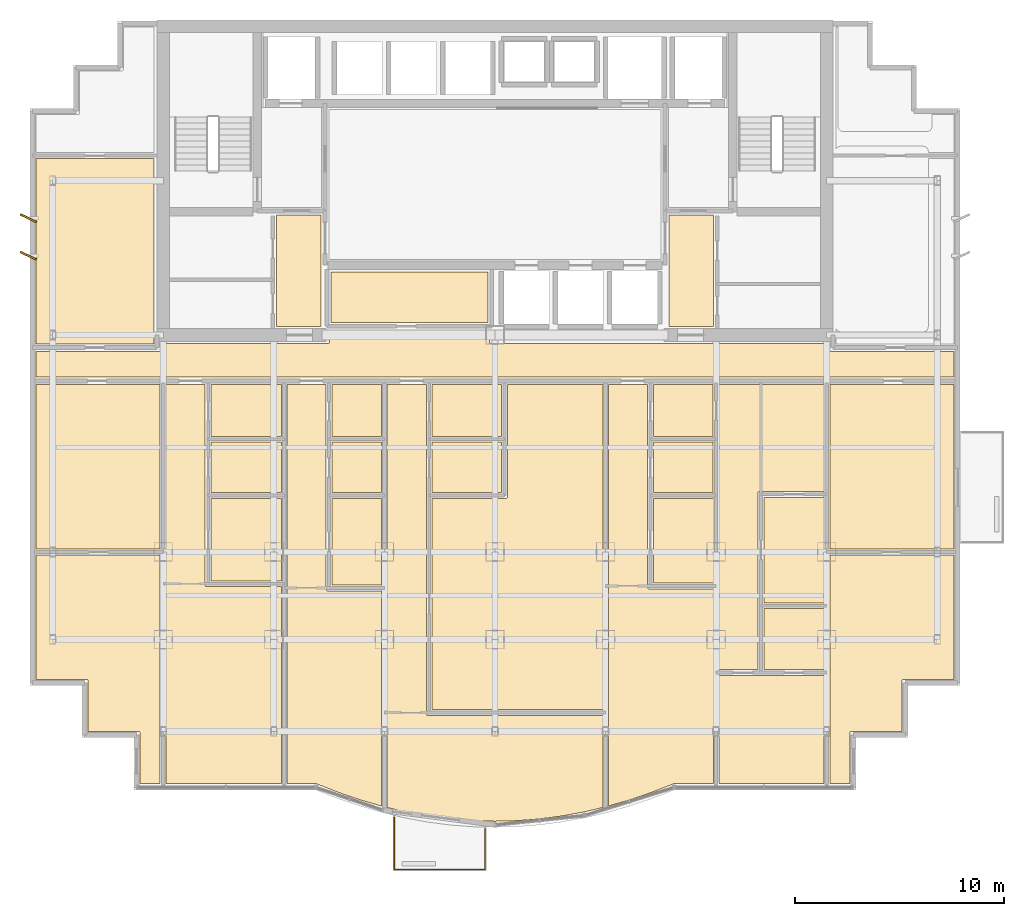
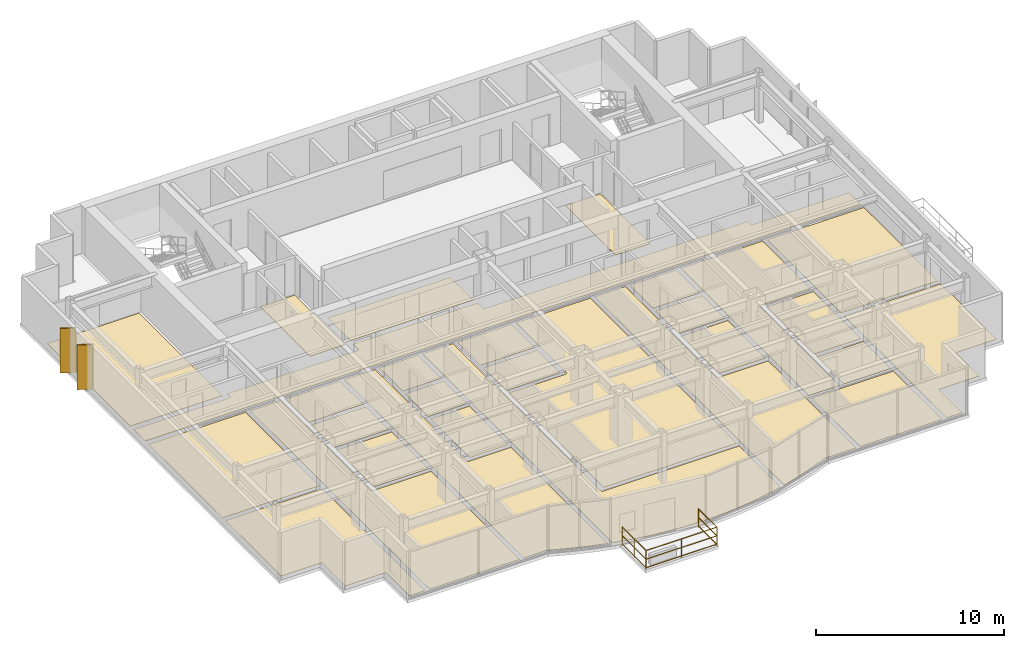
# One storey, part 10 of 11: 29 coverings, 2 shading devices, 1 railing.
"""IFC4 building model written with IfcOpenShell, lengths in metres."""

from ifc_helpers import new_model, si_unit, direction, frame, origin, origin_2d, place, context, subcontext, project, spatial, polyline, rectangle, circle, outline, extrude, source, transform, mapped, material, layer, layer_set, type_object, element, save


model = new_model("IFC4")

# Units and contexts
model_context = context("Model", 3, precision=1e-05, world=origin(), true_north=direction((0.0, 1.0)))
body_context = subcontext(model_context, "Body", "Model", "MODEL_VIEW")
ifc_project = project(units=[si_unit("LENGTHUNIT", "METRE"), si_unit("AREAUNIT", "SQUARE_METRE"), si_unit("VOLUMEUNIT", "CUBIC_METRE"), si_unit("PLANEANGLEUNIT", "RADIAN"), si_unit("MASSUNIT", "GRAM", prefix="KILO")], contexts=[model_context])

# Site, building, storey
site_placement = place(None, origin())
site = spatial("IfcSite", under=ifc_project, at=site_placement, CompositionType="ELEMENT")
building_placement = place(site_placement, origin())
building = spatial("IfcBuilding", under=site, at=building_placement, Name="Qianlan Lanfeng Residences", CompositionType="ELEMENT")
storey_placement = place(building_placement, frame((0.0, 0.0, 145.800048828125)))
storey = spatial("IfcBuildingStorey", under=building, at=storey_placement, Name="L39", CompositionType="ELEMENT", Elevation=145.800048828125)

# Coverings
ifc_material_1 = material(Name="Honed Taitung Granite Stone Flooring", Category="masonry")
ifc_layer_1 = layer(ifc_material_1, 0.030029296875)
ifc_layer_set_1 = layer_set([ifc_layer_1], Name="Honed Taitung Granite Stone Flooring")
covering_type_1 = type_object("IfcCoveringType", Name="FLR-STN-30", PredefinedType="FLOORING", material=ifc_layer_set_1)
covering_1_placement = place(storey_placement, origin())
element("IfcCovering", 1, at=covering_1_placement, inside=storey, type_object=covering_type_1, Name="L39 Residential Corridor Floor Finish", PredefinedType="FLOORING", context=body_context, shape_type="SweptSolid", body=[
    extrude(outline(polyline([(4.489990234375, 23.179931640625), (48.510009765625, 23.179931640625), (48.510009765625, 24.419921875), (42.590087890625, 24.419921875), (42.5830078125, 24.419921875), (42.575927734375, 24.4208984375), (42.570068359375, 24.423095703125), (42.56298828125, 24.425048828125), (42.556884765625, 24.427978515625), (42.551025390625, 24.431884765625), (42.5458984375, 24.43603515625), (42.541015625, 24.44091796875), (42.535888671875, 24.446044921875), (42.531982421875, 24.450927734375), (42.528076171875, 24.45703125), (42.52490234375, 24.462890625), (42.52294921875, 24.469970703125), (42.52099609375, 24.47607421875), (42.52001953125, 24.48291015625), (42.52001953125, 24.489990234375), (42.52001953125, 24.800048828125), (26.300048828125, 24.800048828125), (26.29296875, 24.800048828125), (26.285888671875, 24.801025390625), (26.280029296875, 24.802978515625), (26.27294921875, 24.804931640625), (26.26708984375, 24.80810546875), (26.260986328125, 24.81201171875), (26.256103515625, 24.81591796875), (26.2509765625, 24.821044921875), (26.24609375, 24.825927734375), (26.241943359375, 24.8310546875), (26.238037109375, 24.8369140625), (26.235107421875, 24.843017578125), (26.23291015625, 24.85009765625), (26.23095703125, 24.85595703125), (26.22998046875, 24.863037109375), (26.22998046875, 24.8701171875), (26.22998046875, 25.429931640625), (18.570068359375, 25.429931640625), (18.570068359375, 24.8701171875), (18.570068359375, 24.863037109375), (18.569091796875, 24.85595703125), (18.56689453125, 24.85009765625), (18.56494140625, 24.843017578125), (18.56201171875, 24.8369140625), (18.55810546875, 24.8310546875), (18.553955078125, 24.825927734375), (18.549072265625, 24.821044921875), (18.5439453125, 24.81591796875), (18.5390625, 24.81201171875), (18.532958984375, 24.80810546875), (18.527099609375, 24.804931640625), (18.52001953125, 24.802978515625), (18.513916015625, 24.801025390625), (18.507080078125, 24.800048828125), (18.5, 24.800048828125), (10.47998046875, 24.800048828125), (10.47998046875, 24.489990234375), (10.47998046875, 24.48291015625), (10.47900390625, 24.47607421875), (10.47705078125, 24.469970703125), (10.47509765625, 24.462890625), (10.471923828125, 24.45703125), (10.468017578125, 24.450927734375), (10.464111328125, 24.446044921875), (10.458984375, 24.44091796875), (10.4541015625, 24.43603515625), (10.448974609375, 24.431884765625), (10.443115234375, 24.427978515625), (10.43701171875, 24.425048828125), (10.429931640625, 24.423095703125), (10.424072265625, 24.4208984375), (10.4169921875, 24.419921875), (10.409912109375, 24.419921875), (4.489990234375, 24.419921875), (4.489990234375, 23.179931640625)])), origin(), (0.0, 0.0, 1.0), 0.030029296875),
])
covering_2_placement = place(storey_placement, origin())
element("IfcCovering", 2, at=covering_2_placement, inside=storey, type_object=covering_type_1, Name="L39 Lift Lobby Floor Finish", PredefinedType="FLOORING", context=body_context, shape_type="SweptSolid", body=[
    extrude(outline(polyline([(16.030029296875, 25.610107421875), (18.169921875, 25.610107421875), (18.169921875, 30.949951171875), (16.030029296875, 30.949951171875), (16.030029296875, 25.610107421875)])), origin(), (0.0, 0.0, 1.0), 0.030029296875),
])
covering_3_placement = place(storey_placement, origin())
element("IfcCovering", 3, at=covering_3_placement, inside=storey, type_object=covering_type_1, Name="L39 Lift Lobby Floor Finish", PredefinedType="FLOORING", context=body_context, shape_type="SweptSolid", body=[
    extrude(outline(polyline([(34.830078125, 25.610107421875), (36.969970703125, 25.610107421875), (36.969970703125, 30.949951171875), (34.830078125, 30.949951171875), (34.830078125, 25.610107421875)])), origin(), (0.0, 0.0, 1.0), 0.030029296875),
])
ifc_material_2 = material(Name="Slip-Resistant Porcelain Tile Flooring")
ifc_layer_2 = layer(ifc_material_2, 0.02001953125)
ifc_layer_set_2 = layer_set([ifc_layer_2], Name="Slip-Resistant Porcelain Tile Flooring")
covering_type_2 = type_object("IfcCoveringType", Name="FLR-TIL-20", PredefinedType="FLOORING", material=ifc_layer_set_2)
covering_4_placement = place(storey_placement, origin())
element("IfcCovering", 4, at=covering_4_placement, inside=storey, type_object=covering_type_2, Name="L39 Kitchen Floor Finish", PredefinedType="FLOORING", context=body_context, shape_type="SweptSolid", body=[
    extrude(outline(polyline([(12.889892578125, 17.639892578125), (16.260009765625, 17.639892578125), (16.260009765625, 20.06005859375), (12.889892578125, 20.06005859375), (12.889892578125, 17.639892578125)])), origin(), (0.0, 0.0, 1.0), 0.02001953125),
])
covering_5_placement = place(storey_placement, origin())
element("IfcCovering", 5, at=covering_5_placement, inside=storey, type_object=covering_type_2, Name="L39 Bathroom Floor Finish", PredefinedType="FLOORING", context=body_context, shape_type="SweptSolid", body=[
    extrude(outline(polyline([(12.889892578125, 20.340087890625), (16.260009765625, 20.340087890625), (16.260009765625, 22.830078125), (12.889892578125, 22.830078125), (12.889892578125, 20.340087890625)])), origin(), (0.0, 0.0, 1.0), 0.02001953125),
])
covering_6_placement = place(storey_placement, origin())
element("IfcCovering", 6, at=covering_6_placement, inside=storey, type_object=covering_type_2, Name="L39 Kitchen Floor Finish", PredefinedType="FLOORING", context=body_context, shape_type="SweptSolid", body=[
    extrude(outline(polyline([(18.68994140625, 17.639892578125), (21.06005859375, 17.639892578125), (21.06005859375, 20.06005859375), (18.68994140625, 20.06005859375), (18.68994140625, 17.639892578125)])), origin(), (0.0, 0.0, 1.0), 0.02001953125),
])
covering_7_placement = place(storey_placement, origin())
element("IfcCovering", 7, at=covering_7_placement, inside=storey, type_object=covering_type_2, Name="L39 Bathroom Floor Finish", PredefinedType="FLOORING", context=body_context, shape_type="SweptSolid", body=[
    extrude(outline(polyline([(18.68994140625, 20.340087890625), (21.06005859375, 20.340087890625), (21.06005859375, 22.830078125), (18.68994140625, 22.830078125), (18.68994140625, 20.340087890625)])), origin(), (0.0, 0.0, 1.0), 0.02001953125),
])
covering_8_placement = place(storey_placement, origin())
element("IfcCovering", 8, at=covering_8_placement, inside=storey, type_object=covering_type_2, Name="L39 Kitchen Floor Finish", PredefinedType="FLOORING", context=body_context, shape_type="SweptSolid", body=[
    extrude(outline(polyline([(23.489990234375, 17.639892578125), (26.81005859375, 17.639892578125), (26.81005859375, 20.06005859375), (23.489990234375, 20.06005859375), (23.489990234375, 17.639892578125)])), origin(), (0.0, 0.0, 1.0), 0.02001953125),
])
covering_9_placement = place(storey_placement, origin())
element("IfcCovering", 9, at=covering_9_placement, inside=storey, type_object=covering_type_2, Name="L39 Bathroom Floor Finish", PredefinedType="FLOORING", context=body_context, shape_type="SweptSolid", body=[
    extrude(outline(polyline([(23.489990234375, 20.340087890625), (26.81005859375, 20.340087890625), (26.81005859375, 22.830078125), (23.489990234375, 22.830078125), (23.489990234375, 20.340087890625)])), origin(), (0.0, 0.0, 1.0), 0.02001953125),
])
covering_10_placement = place(storey_placement, origin())
element("IfcCovering", 10, at=covering_10_placement, inside=storey, type_object=covering_type_2, Name="L39 Kitchen Floor Finish", PredefinedType="FLOORING", context=body_context, shape_type="SweptSolid", body=[
    extrude(outline(polyline([(34.090087890625, 17.639892578125), (36.9599609375, 17.639892578125), (36.9599609375, 20.06005859375), (34.090087890625, 20.06005859375), (34.090087890625, 17.639892578125)])), origin(), (0.0, 0.0, 1.0), 0.02001953125),
])
covering_11_placement = place(storey_placement, origin())
element("IfcCovering", 11, at=covering_11_placement, inside=storey, type_object=covering_type_2, Name="L39 Bathroom Floor Finish", PredefinedType="FLOORING", context=body_context, shape_type="SweptSolid", body=[
    extrude(outline(polyline([(34.090087890625, 20.340087890625), (36.9599609375, 20.340087890625), (36.9599609375, 22.830078125), (34.090087890625, 22.830078125), (34.090087890625, 20.340087890625)])), origin(), (0.0, 0.0, 1.0), 0.02001953125),
])
covering_12_placement = place(storey_placement, origin())
element("IfcCovering", 12, at=covering_12_placement, inside=storey, type_object=covering_type_2, Name="L39 En-Suite Bathroom Floor Finish", PredefinedType="FLOORING", context=body_context, shape_type="SweptSolid", body=[
    extrude(outline(polyline([(39.389892578125, 9.159912109375), (42.27001953125, 9.159912109375), (42.27001953125, 12.080078125), (39.389892578125, 12.080078125), (39.389892578125, 9.159912109375)])), origin(), (0.0, 0.0, 1.0), 0.02001953125),
])
ifc_material_3 = material(Name="Engineered Smoked Oak Timber Flooring", Category="wood")
ifc_layer_3 = layer(ifc_material_3, 0.02197265625)
ifc_layer_set_3 = layer_set([ifc_layer_3], Name="Engineered Smoked Oak Timber Flooring")
covering_type_3 = type_object("IfcCoveringType", Name="FLR-TIM-22", PredefinedType="FLOORING", material=ifc_layer_set_3)
covering_13_placement = place(storey_placement, origin())
element("IfcCovering", 13, at=covering_13_placement, inside=storey, type_object=covering_type_3, Name="L39 Resident Study Salon Floor Finish", PredefinedType="FLOORING", context=body_context, shape_type="SweptSolid", body=[
    extrude(outline(polyline([(18.6298828125, 25.800048828125), (26.169921875, 25.800048828125), (26.169921875, 28.22998046875), (18.6298828125, 28.22998046875), (18.6298828125, 25.800048828125)])), origin(), (0.0, 0.0, 1.0), 0.02197265625),
])
covering_14_placement = place(storey_placement, origin())
element("IfcCovering", 14, at=covering_14_placement, inside=storey, type_object=covering_type_3, Name="L39 Studio Living Room Floor Finish", PredefinedType="FLOORING", context=body_context, shape_type="SweptSolid", body=[
    extrude(outline(polyline([(16.27001953125, 3.68994140625), (16.27001953125, 13.135009765625), (12.679931640625, 13.135009765625), (12.673095703125, 13.135009765625), (12.666015625, 13.135986328125), (12.659912109375, 13.137939453125), (12.653076171875, 13.139892578125), (12.64697265625, 13.14306640625), (12.64111328125, 13.14697265625), (12.635986328125, 13.15087890625), (12.631103515625, 13.156005859375), (12.6259765625, 13.160888671875), (12.6220703125, 13.166015625), (12.617919921875, 13.172119140625), (12.614990234375, 13.177978515625), (12.613037109375, 13.18505859375), (12.611083984375, 13.19091796875), (12.610107421875, 13.197998046875), (12.610107421875, 13.205078125), (12.610107421875, 22.830078125), (10.72998046875, 22.830078125), (10.72998046875, 3.68994140625), (16.27001953125, 3.68994140625)])), origin(), (0.0, 0.0, 1.0), 0.02197265625),
])
covering_15_placement = place(storey_placement, origin())
element("IfcCovering", 15, at=covering_15_placement, inside=storey, type_object=covering_type_3, Name="L39 Villa Family Sitting Room Floor Finish", PredefinedType="FLOORING", context=body_context, shape_type="SweptSolid", body=[
    extrude(outline(polyline([(12.889892578125, 17.360107421875), (12.889892578125, 13.4150390625), (16.27001953125, 13.4150390625), (16.27001953125, 17.360107421875), (12.889892578125, 17.360107421875)])), origin(), (0.0, 0.0, 1.0), 0.02197265625),
])
covering_16_placement = place(storey_placement, origin())
element("IfcCovering", 16, at=covering_16_placement, inside=storey, type_object=covering_type_3, Name="L39 Studio Living Room Floor Finish", PredefinedType="FLOORING", context=body_context, shape_type="SweptSolid", body=[
    extrude(outline(polyline([(21.070068359375, 2.616943359375), (21.070068359375, 12.93603515625), (18.47998046875, 12.93603515625), (18.472900390625, 12.93603515625), (18.466064453125, 12.93701171875), (18.4599609375, 12.93896484375), (18.452880859375, 12.94091796875), (18.447021484375, 12.944091796875), (18.44091796875, 12.947998046875), (18.43603515625, 12.951904296875), (18.430908203125, 12.95703125), (18.426025390625, 12.9619140625), (18.422119140625, 12.967041015625), (18.41796875, 12.972900390625), (18.4150390625, 12.97900390625), (18.4130859375, 12.986083984375), (18.410888671875, 12.991943359375), (18.409912109375, 12.9990234375), (18.409912109375, 13.006103515625), (18.409912109375, 22.830078125), (16.530029296875, 22.830078125), (16.530029296875, 3.68994140625), (17.922119140625, 3.68994140625), (17.927978515625, 3.68994140625), (17.93505859375, 3.68896484375), (17.94091796875, 3.68701171875), (17.947021484375, 3.68505859375), (19.056884765625, 3.25), (20.1220703125, 2.888916015625), (21.070068359375, 2.616943359375)])), origin(), (0.0, 0.0, 1.0), 0.02197265625),
])
covering_17_placement = place(storey_placement, origin())
element("IfcCovering", 17, at=covering_17_placement, inside=storey, type_object=covering_type_3, Name="L39 Private Study Floor Finish", PredefinedType="FLOORING", context=body_context, shape_type="SweptSolid", body=[
    extrude(outline(polyline([(18.68994140625, 17.360107421875), (18.68994140625, 13.216064453125), (21.070068359375, 13.216064453125), (21.070068359375, 17.360107421875), (18.68994140625, 17.360107421875)])), origin(), (0.0, 0.0, 1.0), 0.02197265625),
])
covering_18_placement = place(storey_placement, origin())
element("IfcCovering", 18, at=covering_18_placement, inside=storey, type_object=covering_type_3, Name="L39 Studio Living Room Floor Finish", PredefinedType="FLOORING", context=body_context, shape_type="SweptSolid", body=[
    extrude(outline(polyline([(31.669921875, 2.550048828125), (31.669921875, 6.962890625), (23.280029296875, 6.962890625), (23.27294921875, 6.962890625), (23.26611328125, 6.964111328125), (23.260009765625, 6.966064453125), (23.2529296875, 6.968017578125), (23.2470703125, 6.970947265625), (23.240966796875, 6.97509765625), (23.236083984375, 6.97900390625), (23.23095703125, 6.98388671875), (23.22607421875, 6.989013671875), (23.221923828125, 6.993896484375), (23.218017578125, 7.0), (23.215087890625, 7.006103515625), (23.212890625, 7.012939453125), (23.2109375, 7.01904296875), (23.2099609375, 7.02587890625), (23.2099609375, 7.032958984375), (23.2099609375, 22.830078125), (21.330078125, 22.830078125), (21.330078125, 2.550048828125), (22.2490234375, 2.333984375), (23.31201171875, 2.139892578125), (24.375, 2.001953125), (25.43701171875, 1.91796875), (26.5, 1.889892578125), (27.56298828125, 1.91796875), (28.625, 2.0009765625), (29.68701171875, 2.139892578125), (30.7509765625, 2.333984375), (31.669921875, 2.550048828125)])), origin(), (0.0, 0.0, 1.0), 0.02197265625),
])
covering_19_placement = place(storey_placement, origin())
element("IfcCovering", 19, at=covering_19_placement, inside=storey, type_object=covering_type_3, Name="L39 Villa Family Sitting Room Floor Finish", PredefinedType="FLOORING", context=body_context, shape_type="SweptSolid", body=[
    extrude(outline(polyline([(23.489990234375, 7.242919921875), (31.669921875, 7.242919921875), (31.669921875, 22.830078125), (27.090087890625, 22.830078125), (27.090087890625, 17.429931640625), (27.090087890625, 17.423095703125), (27.089111328125, 17.416015625), (27.0869140625, 17.409912109375), (27.0849609375, 17.403076171875), (27.08203125, 17.39697265625), (27.077880859375, 17.39111328125), (27.073974609375, 17.385986328125), (27.069091796875, 17.381103515625), (27.06396484375, 17.3759765625), (27.05908203125, 17.3720703125), (27.052978515625, 17.367919921875), (27.047119140625, 17.364990234375), (27.0400390625, 17.363037109375), (27.033935546875, 17.361083984375), (27.027099609375, 17.360107421875), (27.02001953125, 17.360107421875), (23.489990234375, 17.360107421875), (23.489990234375, 7.242919921875)])), origin(), (0.0, 0.0, 1.0), 0.02197265625),
])
covering_20_placement = place(storey_placement, origin())
element("IfcCovering", 20, at=covering_20_placement, inside=storey, type_object=covering_type_3, Name="L39 Living and Dining Room Floor Finish", PredefinedType="FLOORING", context=body_context, shape_type="SweptSolid", body=[
    extrude(outline(polyline([(36.969970703125, 3.68994140625), (36.969970703125, 13.033935546875), (33.8798828125, 13.033935546875), (33.873046875, 13.033935546875), (33.865966796875, 13.034912109375), (33.860107421875, 13.037109375), (33.85302734375, 13.0390625), (33.846923828125, 13.0419921875), (33.841064453125, 13.0458984375), (33.8359375, 13.050048828125), (33.8310546875, 13.054931640625), (33.825927734375, 13.06005859375), (33.822021484375, 13.06494140625), (33.818115234375, 13.071044921875), (33.81494140625, 13.076904296875), (33.81298828125, 13.083984375), (33.81103515625, 13.090087890625), (33.81005859375, 13.096923828125), (33.81005859375, 13.10400390625), (33.81005859375, 22.830078125), (31.929931640625, 22.830078125), (31.929931640625, 2.616943359375), (32.8779296875, 2.888916015625), (33.94189453125, 3.25), (35.052978515625, 3.68505859375), (35.05908203125, 3.68701171875), (35.06494140625, 3.68896484375), (35.072021484375, 3.68994140625), (35.077880859375, 3.68994140625), (36.969970703125, 3.68994140625)])), origin(), (0.0, 0.0, 1.0), 0.02197265625),
])
covering_21_placement = place(storey_placement, origin())
element("IfcCovering", 21, at=covering_21_placement, inside=storey, type_object=covering_type_3, Name="L39 Villa Family Sitting Room Floor Finish", PredefinedType="FLOORING", context=body_context, shape_type="SweptSolid", body=[
    extrude(outline(polyline([(34.090087890625, 17.360107421875), (34.090087890625, 13.31396484375), (36.969970703125, 13.31396484375), (36.969970703125, 17.360107421875), (34.090087890625, 17.360107421875)])), origin(), (0.0, 0.0, 1.0), 0.02197265625),
])
covering_22_placement = place(storey_placement, origin())
element("IfcCovering", 22, at=covering_22_placement, inside=storey, type_object=covering_type_3, Name="L39 Private Study Floor Finish", PredefinedType="FLOORING", context=body_context, shape_type="SweptSolid", body=[
    extrude(outline(polyline([(39.389892578125, 12.360107421875), (42.27001953125, 12.360107421875), (42.27001953125, 17.419921875), (39.389892578125, 17.419921875), (39.389892578125, 12.360107421875)])), origin(), (0.0, 0.0, 1.0), 0.02197265625),
])
covering_23_placement = place(storey_placement, origin())
element("IfcCovering", 23, at=covering_23_placement, inside=storey, type_object=covering_type_3, Name="L39 Villa Family Sitting Room Floor Finish", PredefinedType="FLOORING", context=body_context, shape_type="SweptSolid", body=[
    extrude(outline(polyline([(37.22998046875, 9.159912109375), (39.110107421875, 9.159912109375), (39.110107421875, 17.6298828125), (39.110107421875, 17.636962890625), (39.111083984375, 17.64404296875), (39.113037109375, 17.64990234375), (39.114990234375, 17.656982421875), (39.117919921875, 17.6630859375), (39.1220703125, 17.6689453125), (39.1259765625, 17.674072265625), (39.131103515625, 17.678955078125), (39.135986328125, 17.68408203125), (39.14111328125, 17.68798828125), (39.14697265625, 17.69189453125), (39.153076171875, 17.695068359375), (39.159912109375, 17.697021484375), (39.166015625, 17.698974609375), (39.173095703125, 17.699951171875), (39.179931640625, 17.699951171875), (42.27001953125, 17.699951171875), (42.27001953125, 22.830078125), (37.22998046875, 22.830078125), (37.22998046875, 9.159912109375)])), origin(), (0.0, 0.0, 1.0), 0.02197265625),
])
covering_24_placement = place(storey_placement, origin())
element("IfcCovering", 24, at=covering_24_placement, inside=storey, type_object=covering_type_3, Name="L39 Master Bedroom Floor Finish", PredefinedType="FLOORING", context=body_context, shape_type="SweptSolid", body=[
    extrude(outline(polyline([(37.22998046875, 8.8798828125), (37.22998046875, 3.68994140625), (42.27001953125, 3.68994140625), (42.27001953125, 8.8798828125), (37.22998046875, 8.8798828125)])), origin(), (0.0, 0.0, 1.0), 0.02197265625),
])
covering_25_placement = place(storey_placement, origin())
element("IfcCovering", 25, at=covering_25_placement, inside=storey, type_object=covering_type_3, Name="L39 Sunroom Floor Finish", PredefinedType="FLOORING", context=body_context, shape_type="SweptSolid", body=[
    extrude(outline(polyline([(10.43994140625, 14.64990234375), (4.489990234375, 14.64990234375), (4.489990234375, 8.68994140625), (6.919921875, 8.68994140625), (6.927001953125, 8.68994140625), (6.93408203125, 8.68896484375), (6.93994140625, 8.68701171875), (6.947021484375, 8.68505859375), (6.952880859375, 8.681884765625), (6.958984375, 8.677978515625), (6.964111328125, 8.674072265625), (6.968994140625, 8.6689453125), (6.97412109375, 8.6640625), (6.97802734375, 8.658935546875), (6.98193359375, 8.653076171875), (6.985107421875, 8.64697265625), (6.987060546875, 8.639892578125), (6.989013671875, 8.634033203125), (6.989990234375, 8.626953125), (6.989990234375, 8.6201171875), (6.989990234375, 6.18994140625), (9.419921875, 6.18994140625), (9.427001953125, 6.18994140625), (9.43408203125, 6.18896484375), (9.43994140625, 6.18701171875), (9.447021484375, 6.18505859375), (9.452880859375, 6.181884765625), (9.458984375, 6.177978515625), (9.464111328125, 6.174072265625), (9.468994140625, 6.1689453125), (9.47412109375, 6.1640625), (9.47802734375, 6.158935546875), (9.48193359375, 6.153076171875), (9.485107421875, 6.14697265625), (9.487060546875, 6.139892578125), (9.489013671875, 6.134033203125), (9.489990234375, 6.126953125), (9.489990234375, 6.1201171875), (9.489990234375, 3.68994140625), (10.43994140625, 3.68994140625), (10.43994140625, 14.64990234375)])), origin(), (0.0, 0.0, 1.0), 0.02197265625),
])
covering_26_placement = place(storey_placement, origin())
element("IfcCovering", 26, at=covering_26_placement, inside=storey, type_object=covering_type_3, Name="L39 Family Sitting Room Floor Finish", PredefinedType="FLOORING", context=body_context, shape_type="SweptSolid", body=[
    extrude(outline(polyline([(10.43994140625, 22.830078125), (4.489990234375, 22.830078125), (4.489990234375, 14.949951171875), (10.43994140625, 14.949951171875), (10.43994140625, 22.830078125)])), origin(), (0.0, 0.0, 1.0), 0.02197265625),
])
covering_27_placement = place(storey_placement, origin())
element("IfcCovering", 27, at=covering_27_placement, inside=storey, type_object=covering_type_3, Name="L39 Sunroom Floor Finish", PredefinedType="FLOORING", context=body_context, shape_type="SweptSolid", body=[
    extrude(outline(polyline([(48.510009765625, 14.64990234375), (42.56005859375, 14.64990234375), (42.56005859375, 3.68994140625), (43.510009765625, 3.68994140625), (43.510009765625, 6.1201171875), (43.510009765625, 6.126953125), (43.510986328125, 6.134033203125), (43.512939453125, 6.139892578125), (43.514892578125, 6.14697265625), (43.51806640625, 6.153076171875), (43.52197265625, 6.158935546875), (43.52587890625, 6.1640625), (43.531005859375, 6.1689453125), (43.535888671875, 6.174072265625), (43.541015625, 6.177978515625), (43.547119140625, 6.181884765625), (43.552978515625, 6.18505859375), (43.56005859375, 6.18701171875), (43.56591796875, 6.18896484375), (43.572998046875, 6.18994140625), (43.580078125, 6.18994140625), (46.010009765625, 6.18994140625), (46.010009765625, 8.6201171875), (46.010009765625, 8.626953125), (46.010986328125, 8.634033203125), (46.012939453125, 8.639892578125), (46.014892578125, 8.64697265625), (46.01806640625, 8.653076171875), (46.02197265625, 8.658935546875), (46.02587890625, 8.6640625), (46.031005859375, 8.6689453125), (46.035888671875, 8.674072265625), (46.041015625, 8.677978515625), (46.047119140625, 8.681884765625), (46.052978515625, 8.68505859375), (46.06005859375, 8.68701171875), (46.06591796875, 8.68896484375), (46.072998046875, 8.68994140625), (46.080078125, 8.68994140625), (48.510009765625, 8.68994140625), (48.510009765625, 14.64990234375)])), origin(), (0.0, 0.0, 1.0), 0.02197265625),
])
covering_28_placement = place(storey_placement, origin())
element("IfcCovering", 28, at=covering_28_placement, inside=storey, type_object=covering_type_3, Name="L39 Private Study Floor Finish", PredefinedType="FLOORING", context=body_context, shape_type="SweptSolid", body=[
    extrude(outline(polyline([(48.510009765625, 22.830078125), (42.56005859375, 22.830078125), (42.56005859375, 14.949951171875), (48.510009765625, 14.949951171875), (48.510009765625, 22.830078125)])), origin(), (0.0, 0.0, 1.0), 0.02197265625),
])
covering_29_placement = place(storey_placement, origin())
element("IfcCovering", 29, at=covering_29_placement, inside=storey, type_object=covering_type_3, Name="L39 Sky Lounge Floor Finish", PredefinedType="FLOORING", context=body_context, shape_type="SweptSolid", body=[
    extrude(outline(polyline([(10.14990234375, 33.64990234375), (4.489990234375, 33.64990234375), (4.489990234375, 24.780029296875), (10.14990234375, 24.780029296875), (10.14990234375, 33.64990234375)])), origin(), (0.0, 0.0, 1.0), 0.02197265625),
])

# Railing
ifc_material_4 = material(Name="Anodised Bronze Aluminium and Laminated Glass Guard Balustrade", Category="aluminium")
railing_type = type_object("IfcRailingType", Name="GR-EXT-1220", PredefinedType="BALUSTRADE", material=ifc_material_4)
railing_placement = place(storey_placement, frame((26.030029296875, 1.5419921875, 0.0)))
element("IfcRailing", 30, at=railing_placement, inside=storey, type_object=railing_type, Name="L39 Terrace Safety Guard GR-L39-SB-C", PredefinedType="BALUSTRADE", context=body_context, shape_type="SweptSolid", body=[
    extrude(circle(Radius=0.02490234375, at=origin_2d()), frame((0.0, 0.0, 0.0849609375), z_axis=(0.0, -1.0, 0.0), x_axis=(1.0, 0.0, 0.0)), (0.0, 0.0, 1.0), 1.971923828125),
    extrude(circle(Radius=0.02490234375, at=origin_2d()), frame((0.0, 0.0, 0.63427734375), z_axis=(0.0, -1.0, 0.0), x_axis=(1.0, 0.0, 0.0)), (0.0, 0.0, 1.0), 1.971923828125),
    extrude(circle(Radius=0.02490234375, at=origin_2d()), frame((0.0, 0.0, 1.19482421875), z_axis=(0.0, -1.0, 0.0), x_axis=(1.0, 0.0, 0.0)), (0.0, 0.0, 1.0), 1.971923828125),
    extrude(circle(Radius=0.02490234375, at=origin_2d()), frame((0.0, -1.971923828125, 0.0849609375), z_axis=(-1.0, 0.0, 0.0), x_axis=(0.0, -1.0, 0.0)), (0.0, 0.0, 1.0), 4.360107421875),
    extrude(circle(Radius=0.02490234375, at=origin_2d()), frame((0.0, -1.971923828125, 0.63427734375), z_axis=(-1.0, 0.0, 0.0), x_axis=(0.0, -1.0, 0.0)), (0.0, 0.0, 1.0), 4.360107421875),
    extrude(circle(Radius=0.02490234375, at=origin_2d()), frame((0.0, -1.971923828125, 1.19482421875), z_axis=(-1.0, 0.0, 0.0), x_axis=(0.0, -1.0, 0.0)), (0.0, 0.0, 1.0), 4.360107421875),
    extrude(circle(Radius=0.02490234375, at=origin_2d()), frame((-4.360107421875, -1.971923828125, 0.0849609375), z_axis=(0.0, 1.0, 0.0), x_axis=(-1.0, 0.0, 0.0)), (0.0, 0.0, 1.0), 2.530029296875),
    extrude(circle(Radius=0.02490234375, at=origin_2d()), frame((-4.360107421875, -1.971923828125, 0.63427734375), z_axis=(0.0, 1.0, 0.0), x_axis=(-1.0, 0.0, 0.0)), (0.0, 0.0, 1.0), 2.530029296875),
    extrude(circle(Radius=0.02490234375, at=origin_2d()), frame((-4.360107421875, -1.971923828125, 1.19482421875), z_axis=(0.0, 1.0, 0.0), x_axis=(-1.0, 0.0, 0.0)), (0.0, 0.0, 1.0), 2.530029296875),
    extrude(circle(Radius=0.02099609375, at=origin_2d()), origin(), (0.0, 0.0, 1.0), 1.169921875),
    extrude(circle(Radius=0.02099609375, at=origin_2d()), frame((0.0, -1.971923828125, 0.0)), (0.0, 0.0, 1.0), 1.169921875),
    extrude(circle(Radius=0.02099609375, at=origin_2d()), frame((-2.18017578125, -1.971923828125, 0.0)), (0.0, 0.0, 1.0), 1.169921875),
    extrude(circle(Radius=0.02099609375, at=origin_2d()), frame((-4.360107421875, -1.971923828125, 0.0)), (0.0, 0.0, 1.0), 1.169921875),
    extrude(circle(Radius=0.02099609375, at=origin_2d()), frame((-4.360107421875, -0.70703125, 0.0)), (0.0, 0.0, 1.0), 1.169921875),
    extrude(circle(Radius=0.02099609375, at=origin_2d()), frame((-4.360107421875, 0.55810546875, 0.0)), (0.0, 0.0, 1.0), 1.169921875),
])

# Shading devices
ifc_material_5 = material(Name="Anodised Bronze Aluminium Solar Fin", Category="aluminium")
shading_device_type = type_object("IfcShadingDeviceType", Name="FIN-BRZ-850", PredefinedType="SHUTTER", material=ifc_material_5)
shared_shape = source(origin(), body_context, "Body", "SweptSolid", [
    extrude(rectangle(XDim=0.85009765625, YDim=0.080078125, at=origin_2d()), origin(), (0.0, 0.0, 1.0), 2.89990234375),
])
for number, where, z_axis, x_axis, name in (
    (31, (4.1298828125, 29.0, 0.0), (0.0, 0.0, 1.0), (0.898794046299, -0.438371146789, 0.0), "L39 Raked Bronze Solar Fin W1"),
    (32, (4.1298828125, 30.800048828125, 0.0), (0.0, 0.0, 1.0), (0.898794046299, -0.438371146789, 0.0), "L39 Raked Bronze Solar Fin W2"),
):
    element("IfcShadingDevice", number, at=place(storey_placement, frame(where, z_axis=z_axis, x_axis=x_axis)), inside=storey, type_object=shading_device_type, Name=name, PredefinedType="SHUTTER", context=body_context, shape_type="MappedRepresentation", body=[
        mapped(shared_shape, transform((0.0, 0.0, 0.0), scale=1.0)),
    ])

save(model, "model.ifc")
